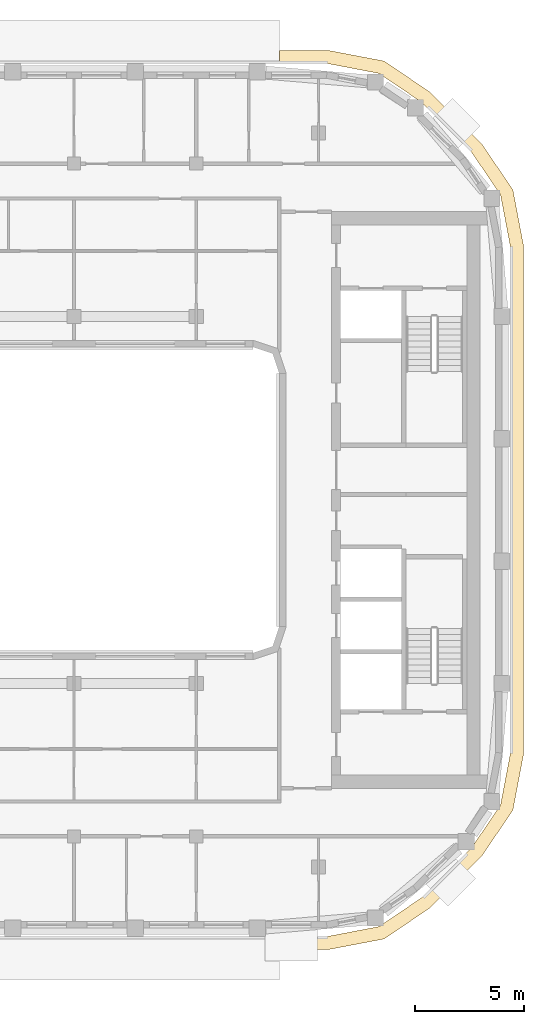
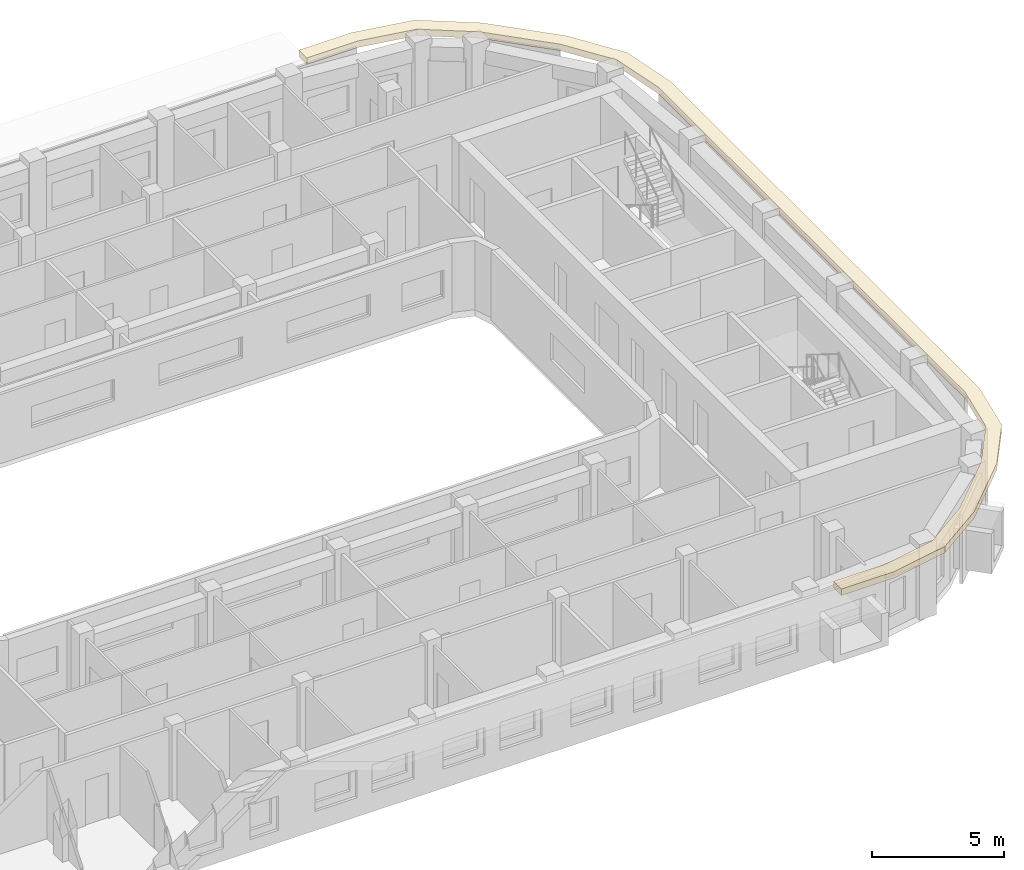
# One storey, part 14 of 16: 1 covering.
"""IFC4 building model written with IfcOpenShell, lengths in metres."""

from ifc_helpers import new_model, si_unit, direction, frame, origin, place, context, subcontext, project, spatial, polyline, outline, extrude, material, layer, layer_set, type_object, element, save


model = new_model("IFC4")

# Units and contexts
model_context = context("Model", 3, precision=1e-05, world=origin(), true_north=direction((0.0, 1.0)))
body_context = subcontext(model_context, "Body", "Model", "MODEL_VIEW")
ifc_project = project(units=[si_unit("LENGTHUNIT", "METRE"), si_unit("AREAUNIT", "SQUARE_METRE"), si_unit("VOLUMEUNIT", "CUBIC_METRE"), si_unit("PLANEANGLEUNIT", "RADIAN"), si_unit("MASSUNIT", "GRAM", prefix="KILO")], contexts=[model_context])

# Site, building, storey
site_placement = place(None, origin())
site = spatial("IfcSite", under=ifc_project, at=site_placement, CompositionType="ELEMENT")
building_placement = place(site_placement, origin())
building = spatial("IfcBuilding", under=site, at=building_placement, Name="Kiln Ring Residences", CompositionType="ELEMENT")
storey_placement = place(building_placement, frame((0.0, 0.0, 273.199951171875)))
storey = spatial("IfcBuildingStorey", under=building, at=storey_placement, Name="L71", CompositionType="ELEMENT", Elevation=273.199951171875)

# Covering
ifc_material = material(Name="Black powder-coated steel", Category="steel")
ifc_layer = layer(ifc_material, 0.300048828125)
ifc_layer_set = layer_set([ifc_layer], Name="SUNSHADE FIN 600")
covering_type = type_object("IfcCoveringType", Name="SUNSHADE FIN 600", PredefinedType="CLADDING", material=ifc_layer_set)
covering_placement = place(storey_placement, frame((0.0, 0.0, 3.199951171875)))
element("IfcCovering", 1, at=covering_placement, inside=storey, type_object=covering_type, Name="SUNSHADE FIN L71", PredefinedType="CLADDING", context=body_context, shape_type="SweptSolid", body=[
    extrude(outline(polyline([(17.292236328125, 20.574951171875), (15.0, 20.574951171875), (15.0, 19.97509765625), (17.2353515625, 19.97509765625), (19.57080078125, 19.529541015625), (21.537109375, 18.193115234375), (23.793212890625, 15.937255859375), (25.12939453125, 13.970703125), (25.574951171875, 11.635498046875), (25.574951171875, -11.635498046875), (25.12939453125, -13.970703125), (23.793212890625, -15.937255859375), (21.537109375, -18.193115234375), (19.57080078125, -19.529541015625), (17.2353515625, -19.97509765625), (15.0, -19.97509765625), (15.0, -20.574951171875), (17.292236328125, -20.574951171875), (19.805419921875, -20.095703125), (21.92138671875, -18.657470703125), (24.257568359375, -16.3212890625), (25.695556640625, -14.205322265625), (26.175048828125, -11.692138671875), (26.175048828125, 11.692138671875), (25.695556640625, 14.205322265625), (24.257568359375, 16.3212890625), (21.92138671875, 18.657470703125), (19.805419921875, 20.095703125), (17.292236328125, 20.574951171875)])), origin(), (0.0, 0.0, 1.0), 0.300048828125),
])

save(model, "model.ifc")
